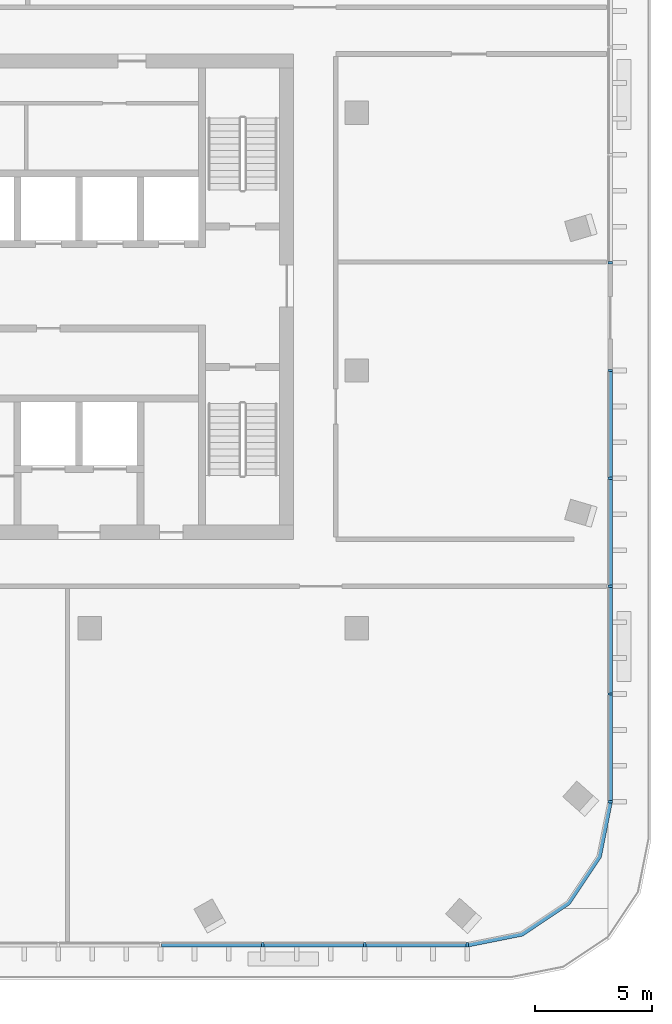
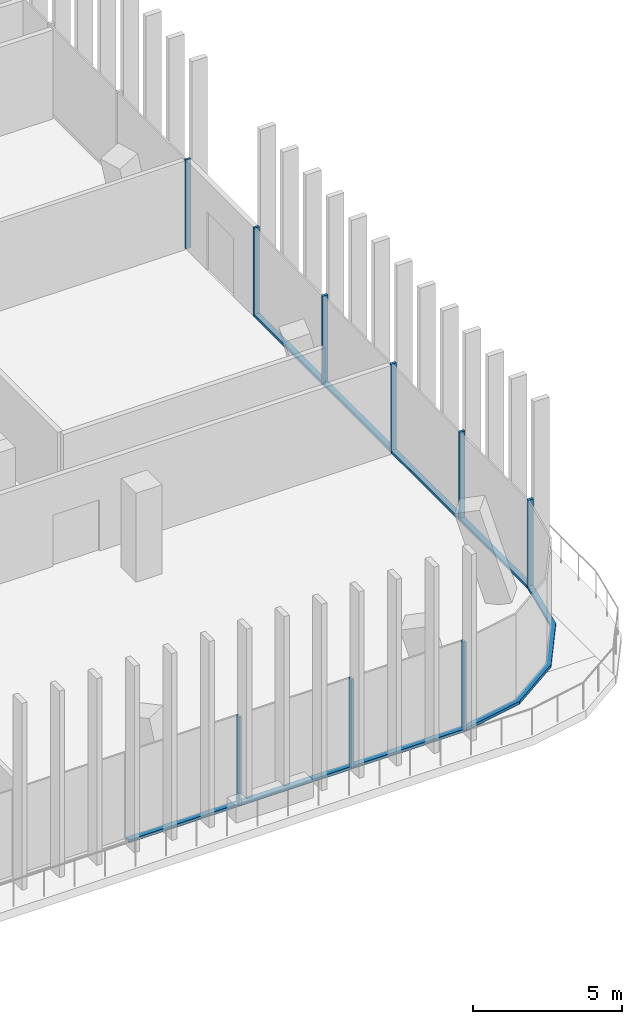
# One storey, part 3 of 16: 17 members, 4 elements without a shape of their own.
"""IFC4 building model written with IfcOpenShell, lengths in metres."""

from ifc_helpers import new_model, si_unit, direction, frame, origin, origin_2d, place, context, subcontext, project, spatial, polyline, rectangle, outline, extrude, material, material_profile, profile_set, type_object, element, aggregate, save


model = new_model("IFC4")

# Units and contexts
model_context = context("Model", 3, precision=1e-05, world=origin(), true_north=direction((0.0, 1.0)))
body_context = subcontext(model_context, "Body", "Model", "MODEL_VIEW")
ifc_project = project(units=[si_unit("LENGTHUNIT", "METRE"), si_unit("AREAUNIT", "SQUARE_METRE"), si_unit("VOLUMEUNIT", "CUBIC_METRE"), si_unit("PLANEANGLEUNIT", "RADIAN"), si_unit("MASSUNIT", "GRAM", prefix="KILO")], contexts=[model_context])

# Site, building, storey
site_placement = place(None, origin())
site = spatial("IfcSite", under=ifc_project, at=site_placement, CompositionType="ELEMENT")
building_placement = place(site_placement, origin())
building = spatial("IfcBuilding", under=site, at=building_placement, Name="Mopane Tessera Tower", CompositionType="ELEMENT")
storey_placement = place(building_placement, frame((0.0, 0.0, 321.39990234375)))
storey = spatial("IfcBuildingStorey", under=building, at=storey_placement, Name="L70", CompositionType="ELEMENT", Elevation=321.39990234375)

# Curtain wall, members
ifc_material_1 = material(Name="Aluminium frame", Category="aluminium")
curtain_wall_type = type_object("IfcCurtainWallType", Name="Unitised curtain wall", PredefinedType="NOTDEFINED", material=ifc_material_1)
curtain_wall_1_placement = place(storey_placement, origin())
curtain_wall_1 = element("IfcCurtainWall", 1, at=curtain_wall_1_placement, inside=storey, type_object=curtain_wall_type, Name="e:cw:L70:S:5", PredefinedType="NOTDEFINED")
ifc_material_2 = material(Name="Aluminium frame", Category="aluminium")
ifc_material_profile_1 = material_profile(ifc_material_2, rectangle(XDim=0.10009765625, YDim=0.199951171875, at=origin_2d()))
ifc_profile_set_1 = profile_set([ifc_material_profile_1], Name="Aluminium frame")
member_type_1 = type_object("IfcMemberType", Name="Aluminium mullion 100 x 200", PredefinedType="MULLION", material=ifc_profile_set_1)
member_1_placement = place(storey_placement, frame((13.080078125, -24.5, 0.0), z_axis=(0.0, 0.0, 1.0), x_axis=(1.0, 0.0, 0.0)))
member_1 = element("IfcMember", 2, at=member_1_placement, type_object=member_type_1, Name="e:cw:L70:S:5:mu8", PredefinedType="MULLION", context=body_context, shape_type="SweptSolid", body=[
    extrude(rectangle(XDim=0.10009765625, YDim=0.199951171875, at=origin_2d()), origin(), (0.0, 0.0, 1.0), 3.650146484375),
])
member_2_placement = place(storey_placement, frame((17.43994140625, -24.5, 0.0), z_axis=(0.0, 0.0, 1.0), x_axis=(1.0, 0.0, 0.0)))
member_2 = element("IfcMember", 3, at=member_2_placement, type_object=member_type_1, Name="e:cw:L70:S:5:mu9", PredefinedType="MULLION", context=body_context, shape_type="SweptSolid", body=[
    extrude(rectangle(XDim=0.10009765625, YDim=0.199951171875, at=origin_2d()), origin(), (0.0, 0.0, 1.0), 3.650146484375),
])
member_3_placement = place(storey_placement, frame((21.800048828125, -24.5, 0.0), z_axis=(0.0, 0.0, 1.0), x_axis=(1.0, 0.0, 0.0)))
member_3 = element("IfcMember", 4, at=member_3_placement, type_object=member_type_1, Name="e:cw:L70:S:5:mu10", PredefinedType="MULLION", context=body_context, shape_type="SweptSolid", body=[
    extrude(rectangle(XDim=0.10009765625, YDim=0.199951171875, at=origin_2d()), origin(), (0.0, 0.0, 1.0), 3.650146484375),
])

curtain_wall_2_placement = place(storey_placement, origin())
curtain_wall_2 = element("IfcCurtainWall", 5, at=curtain_wall_2_placement, inside=storey, type_object=curtain_wall_type, Name="e:cw:L70:E:0", PredefinedType="NOTDEFINED")
member_4_placement = place(storey_placement, frame((27.89990234375, -18.39990234375, 0.0), z_axis=(0.0, 0.0, 1.0), x_axis=(0.0, 1.0, 0.0)))
member_4 = element("IfcMember", 6, at=member_4_placement, type_object=member_type_1, Name="e:cw:L70:E:0:mu0", PredefinedType="MULLION", context=body_context, shape_type="SweptSolid", body=[
    extrude(rectangle(XDim=0.10009765625, YDim=0.199951171875, at=origin_2d()), origin(), (0.0, 0.0, 1.0), 3.650146484375),
])
member_5_placement = place(storey_placement, frame((27.89990234375, -13.800048828125, 0.0), z_axis=(0.0, 0.0, 1.0), x_axis=(0.0, 1.0, 0.0)))
member_5 = element("IfcMember", 7, at=member_5_placement, type_object=member_type_1, Name="e:cw:L70:E:0:mu1", PredefinedType="MULLION", context=body_context, shape_type="SweptSolid", body=[
    extrude(rectangle(XDim=0.10009765625, YDim=0.199951171875, at=origin_2d()), origin(), (0.0, 0.0, 1.0), 3.650146484375),
])
member_6_placement = place(storey_placement, frame((27.89990234375, -9.199951171875, 0.0), z_axis=(0.0, 0.0, 1.0), x_axis=(0.0, 1.0, 0.0)))
member_6 = element("IfcMember", 8, at=member_6_placement, type_object=member_type_1, Name="e:cw:L70:E:0:mu2", PredefinedType="MULLION", context=body_context, shape_type="SweptSolid", body=[
    extrude(rectangle(XDim=0.10009765625, YDim=0.199951171875, at=origin_2d()), origin(), (0.0, 0.0, 1.0), 3.650146484375),
])
member_7_placement = place(storey_placement, frame((27.89990234375, -4.60009765625, 0.0), z_axis=(0.0, 0.0, 1.0), x_axis=(0.0, 1.0, 0.0)))
member_7 = element("IfcMember", 9, at=member_7_placement, type_object=member_type_1, Name="e:cw:L70:E:0:mu3", PredefinedType="MULLION", context=body_context, shape_type="SweptSolid", body=[
    extrude(rectangle(XDim=0.10009765625, YDim=0.199951171875, at=origin_2d()), origin(), (0.0, 0.0, 1.0), 3.650146484375),
])
member_8_placement = place(storey_placement, frame((27.89990234375, 0.0, 0.0), z_axis=(0.0, 0.0, 1.0), x_axis=(0.0, 1.0, 0.0)))
member_8 = element("IfcMember", 10, at=member_8_placement, type_object=member_type_1, Name="e:cw:L70:E:0:mu4", PredefinedType="MULLION", context=body_context, shape_type="SweptSolid", body=[
    extrude(rectangle(XDim=0.10009765625, YDim=0.199951171875, at=origin_2d()), origin(), (0.0, 0.0, 1.0), 3.650146484375),
])

# Curtain wall, member
curtain_wall_3_placement = place(storey_placement, origin())
curtain_wall_3 = element("IfcCurtainWall", 11, at=curtain_wall_3_placement, inside=storey, type_object=curtain_wall_type, Name="e:cw:L70:E:5", PredefinedType="NOTDEFINED")
member_9_placement = place(storey_placement, frame((27.89990234375, 4.60009765625, 0.0), z_axis=(0.0, 0.0, 1.0), x_axis=(0.0, 1.0, 0.0)))
member_9 = element("IfcMember", 12, at=member_9_placement, type_object=member_type_1, Name="e:cw:L70:E:5:mu5", PredefinedType="MULLION", context=body_context, shape_type="SweptSolid", body=[
    extrude(rectangle(XDim=0.10009765625, YDim=0.199951171875, at=origin_2d()), origin(), (0.0, 0.0, 1.0), 3.650146484375),
])
aggregate(curtain_wall_3, [member_9])

# Member
ifc_material_3 = material(Name="Aluminium frame", Category="aluminium")
ifc_material_profile_2 = material_profile(ifc_material_3, rectangle(XDim=0.199951171875, YDim=0.1201171875, at=origin_2d()))
ifc_profile_set_2 = profile_set([ifc_material_profile_2], Name="Aluminium frame")
member_type_2 = type_object("IfcMemberType", Name="Aluminium transom 200 x 120", PredefinedType="USERDEFINED", material=ifc_profile_set_2)
member_10_placement = place(storey_placement, frame((8.77001953125, -24.5, 0.06005859375), z_axis=(1.0, 0.0, 0.0), x_axis=(0.0, 1.0, 0.0)))
member_10 = element("IfcMember", 13, at=member_10_placement, type_object=member_type_2, Name="e:cw:L70:S:5:tr7", ObjectType="TRANSOM", PredefinedType="USERDEFINED", context=body_context, shape_type="SweptSolid", body=[
    extrude(rectangle(XDim=0.199951171875, YDim=0.1201171875, at=origin_2d()), origin(), (0.0, 0.0, 1.0), 4.260009765625),
])

member_11_placement = place(storey_placement, frame((13.1298828125, -24.5, 0.06005859375), z_axis=(1.0, 0.0, 0.0), x_axis=(0.0, 1.0, 0.0)))
member_11 = element("IfcMember", 14, at=member_11_placement, type_object=member_type_2, Name="e:cw:L70:S:5:tr8", ObjectType="TRANSOM", PredefinedType="USERDEFINED", context=body_context, shape_type="SweptSolid", body=[
    extrude(rectangle(XDim=0.199951171875, YDim=0.1201171875, at=origin_2d()), origin(), (0.0, 0.0, 1.0), 4.260009765625),
])

member_12_placement = place(storey_placement, frame((17.489990234375, -24.5, 0.06005859375), z_axis=(1.0, 0.0, 0.0), x_axis=(0.0, 1.0, 0.0)))
member_12 = element("IfcMember", 15, at=member_12_placement, type_object=member_type_2, Name="e:cw:L70:S:5:tr9", ObjectType="TRANSOM", PredefinedType="USERDEFINED", context=body_context, shape_type="SweptSolid", body=[
    extrude(rectangle(XDim=0.199951171875, YDim=0.1201171875, at=origin_2d()), origin(), (0.0, 0.0, 1.0), 4.260009765625),
])

aggregate(curtain_wall_1, [member_1, member_2, member_3, member_10, member_11, member_12])

# Curtain wall, member
curtain_wall_4_placement = place(storey_placement, origin())
curtain_wall_4 = element("IfcCurtainWall", 16, at=curtain_wall_4_placement, inside=storey, type_object=curtain_wall_type, Name="e:cw:L70:CS", PredefinedType="NOTDEFINED")
member_13_placement = place(storey_placement, origin())
member_13 = element("IfcMember", 17, at=member_13_placement, type_object=member_type_2, Name="e:cw:L70:CS:tr", ObjectType="TRANSOM", PredefinedType="USERDEFINED", context=body_context, shape_type="SweptSolid", body=[
    extrude(outline(polyline([(21.800048828125, -24.39990234375), (24.09619140625, -23.943359375), (26.042724609375, -22.642578125), (27.34326171875, -20.696044921875), (27.800048828125, -18.39990234375), (28.0, -18.39990234375), (27.528076171875, -20.772705078125), (26.18408203125, -22.7841796875), (24.172607421875, -24.128173828125), (21.800048828125, -24.60009765625), (21.800048828125, -24.39990234375)])), origin(), (0.0, 0.0, 1.0), 0.1201171875),
])
aggregate(curtain_wall_4, [member_13])

# Member
member_14_placement = place(storey_placement, frame((27.89990234375, -18.35009765625, 0.06005859375), z_axis=(0.0, 1.0, 0.0), x_axis=(-1.0, 0.0, 0.0)))
member_14 = element("IfcMember", 18, at=member_14_placement, type_object=member_type_2, Name="e:cw:L70:E:0:tr0", ObjectType="TRANSOM", PredefinedType="USERDEFINED", context=body_context, shape_type="SweptSolid", body=[
    extrude(rectangle(XDim=0.199951171875, YDim=0.1201171875, at=origin_2d()), origin(), (0.0, 0.0, 1.0), 4.5),
])

member_15_placement = place(storey_placement, frame((27.89990234375, -13.75, 0.06005859375), z_axis=(0.0, 1.0, 0.0), x_axis=(-1.0, 0.0, 0.0)))
member_15 = element("IfcMember", 19, at=member_15_placement, type_object=member_type_2, Name="e:cw:L70:E:0:tr1", ObjectType="TRANSOM", PredefinedType="USERDEFINED", context=body_context, shape_type="SweptSolid", body=[
    extrude(rectangle(XDim=0.199951171875, YDim=0.1201171875, at=origin_2d()), origin(), (0.0, 0.0, 1.0), 4.5),
])

member_16_placement = place(storey_placement, frame((27.89990234375, -9.14990234375, 0.06005859375), z_axis=(0.0, 1.0, 0.0), x_axis=(-1.0, 0.0, 0.0)))
member_16 = element("IfcMember", 20, at=member_16_placement, type_object=member_type_2, Name="e:cw:L70:E:0:tr2", ObjectType="TRANSOM", PredefinedType="USERDEFINED", context=body_context, shape_type="SweptSolid", body=[
    extrude(rectangle(XDim=0.199951171875, YDim=0.1201171875, at=origin_2d()), origin(), (0.0, 0.0, 1.0), 4.5),
])

member_17_placement = place(storey_placement, frame((27.89990234375, -4.550048828125, 0.06005859375), z_axis=(0.0, 1.0, 0.0), x_axis=(-1.0, 0.0, 0.0)))
member_17 = element("IfcMember", 21, at=member_17_placement, type_object=member_type_2, Name="e:cw:L70:E:0:tr3", ObjectType="TRANSOM", PredefinedType="USERDEFINED", context=body_context, shape_type="SweptSolid", body=[
    extrude(rectangle(XDim=0.199951171875, YDim=0.1201171875, at=origin_2d()), origin(), (0.0, 0.0, 1.0), 4.5),
])

aggregate(curtain_wall_2, [member_4, member_5, member_6, member_7, member_8, member_14, member_15, member_16, member_17])

save(model, "model.ifc")
